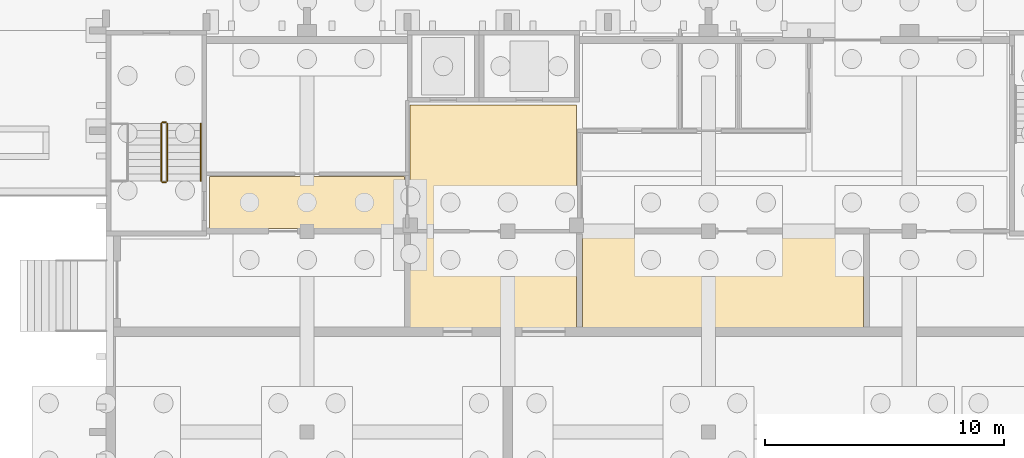
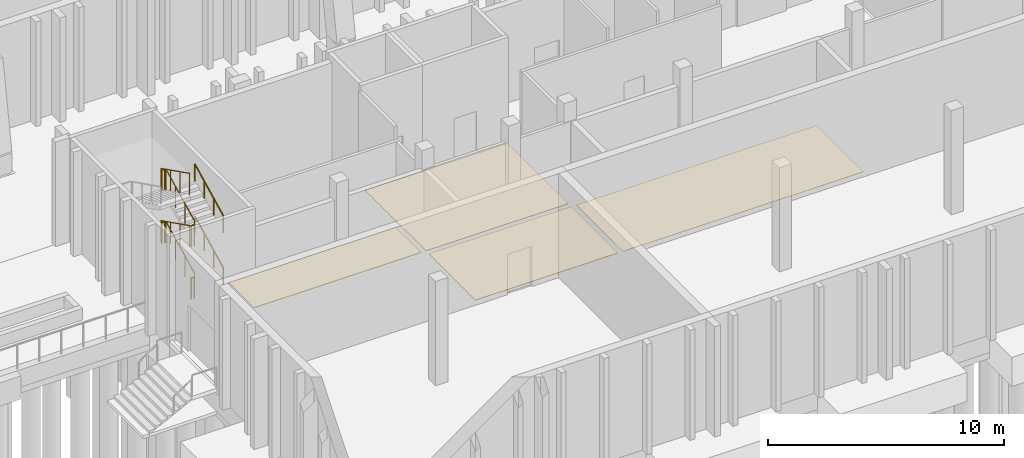
# One storey, part 123 of 129: 10 railings, 4 coverings.
"""IFC4 building model written with IfcOpenShell, lengths in metres."""

from ifc_helpers import new_model, si_unit, direction, frame, origin, origin_2d, place, context, subcontext, project, spatial, polyline, circle, outline, extrude, material, layer, layer_set, type_object, element, save


model = new_model("IFC4")

# Units and contexts
model_context = context("Model", 3, precision=1e-05, world=origin(), true_north=direction((0.0, 1.0)))
body_context = subcontext(model_context, "Body", "Model", "MODEL_VIEW")
ifc_project = project(units=[si_unit("LENGTHUNIT", "METRE"), si_unit("AREAUNIT", "SQUARE_METRE"), si_unit("VOLUMEUNIT", "CUBIC_METRE"), si_unit("PLANEANGLEUNIT", "RADIAN"), si_unit("MASSUNIT", "GRAM", prefix="KILO")], contexts=[model_context])

# Site, building, storey
site_placement = place(None, origin())
site = spatial("IfcSite", under=ifc_project, at=site_placement, CompositionType="ELEMENT")
building_placement = place(site_placement, origin())
building = spatial("IfcBuilding", under=site, at=building_placement, Name="Kiln Court Media Centre", CompositionType="ELEMENT")
storey_placement = place(building_placement, origin())
storey = spatial("IfcBuildingStorey", under=building, at=storey_placement, Name="L00", CompositionType="ELEMENT", Elevation=0.0)

# Coverings
ifc_material_1 = material(Name="Carpet tile")
ifc_layer_1 = layer(ifc_material_1, 0.014892578125)
ifc_layer_set_1 = layer_set([ifc_layer_1], Name="Carpet tile floor finish 15")
covering_type_1 = type_object("IfcCoveringType", Name="Carpet tile floor finish 15", PredefinedType="FLOORING", material=ifc_layer_set_1)
covering_1_placement = place(storey_placement, origin())
element("IfcCovering", 1, at=covering_1_placement, inside=storey, type_object=covering_type_1, Name="Control Room 2 floor finish", PredefinedType="FLOORING", context=body_context, shape_type="SweptSolid", body=[
    extrude(outline(polyline([(145.919921875, 12.719970703125), (157.679931640625, 12.719970703125), (157.679931640625, 16.679931640625), (145.919921875, 16.679931640625), (145.919921875, 12.719970703125)])), origin(), (0.0, 0.0, 1.0), 0.014892578125),
])
ifc_material_2 = material(Name="Terrazzo")
ifc_layer_2 = layer(ifc_material_2, 0.02490234375)
ifc_layer_set_2 = layer_set([ifc_layer_2], Name="Polished terrazzo floor finish 25")
covering_type_2 = type_object("IfcCoveringType", Name="Polished terrazzo floor finish 25", PredefinedType="FLOORING", material=ifc_layer_set_2)
covering_2_placement = place(storey_placement, origin())
element("IfcCovering", 2, at=covering_2_placement, inside=storey, type_object=covering_type_2, Name="Sound Lock Corridor floor finish", PredefinedType="FLOORING", context=body_context, shape_type="SweptSolid", body=[
    extrude(outline(polyline([(138.719970703125, 12.719970703125), (145.679931640625, 12.719970703125), (145.679931640625, 16.679931640625), (138.719970703125, 16.679931640625), (138.719970703125, 12.719970703125)])), origin(), (0.0, 0.0, 1.0), 0.02490234375),
])
covering_3_placement = place(storey_placement, origin())
element("IfcCovering", 3, at=covering_3_placement, inside=storey, type_object=covering_type_2, Name="Studio Corridor floor finish", PredefinedType="FLOORING", context=body_context, shape_type="SweptSolid", body=[
    extrude(outline(polyline([(130.320068359375, 16.919921875), (138.47998046875, 16.919921875), (138.47998046875, 19.080078125), (130.320068359375, 19.080078125), (130.320068359375, 16.919921875)])), origin(), (0.0, 0.0, 1.0), 0.02490234375),
])
covering_4_placement = place(storey_placement, origin())
element("IfcCovering", 4, at=covering_4_placement, inside=storey, type_object=covering_type_2, Name="Fire-fighting Lift Lobby floor finish", PredefinedType="FLOORING", context=body_context, shape_type="SweptSolid", body=[
    extrude(outline(polyline([(138.719970703125, 16.919921875), (145.679931640625, 16.919921875), (145.679931640625, 22.080078125), (138.719970703125, 22.080078125), (138.719970703125, 16.919921875)])), origin(), (0.0, 0.0, 1.0), 0.02490234375),
])

# Railings
ifc_material_3 = material(Name="Steel S275", Category="steel")
railing_type_1 = type_object("IfcRailingType", Name="Steel S275 stair guard 1100", PredefinedType="GUARDRAIL", material=ifc_material_3)
railing_1_placement = place(storey_placement, frame((128.550048828125, 18.89990234375, 0.14990234375)))
element("IfcRailing", 5, at=railing_1_placement, inside=storey, type_object=railing_type_1, Name="ST-16 stair guard", PredefinedType="GUARDRAIL", context=body_context, shape_type="SweptSolid", body=[
    extrude(circle(Radius=0.02392578125, at=origin_2d()), frame((0.0, 0.0, 1.076171875), z_axis=(0.0, 0.894408994573, 0.447249986504), x_axis=(-1.0, 0.0, 0.0)), (0.0, 0.0, 1.0), 2.68359375),
    extrude(circle(Radius=0.02099609375, at=origin_2d()), origin(), (0.0, 0.0, 1.0), 1.052001953125),
    extrude(circle(Radius=0.02099609375, at=origin_2d()), frame((0.0, 0.800048828125, 0.400146484375)), (0.0, 0.0, 1.0), 1.052001953125),
    extrude(circle(Radius=0.02099609375, at=origin_2d()), frame((0.0, 1.60009765625, 0.800048828125)), (0.0, 0.0, 1.0), 1.052001953125),
    extrude(circle(Radius=0.02099609375, at=origin_2d()), frame((0.0, 2.400146484375, 1.2001953125)), (0.0, 0.0, 1.0), 1.052001953125),
])
railing_2_placement = place(storey_placement, frame((128.5, 21.35009765625, 1.35009765625)))
element("IfcRailing", 6, at=railing_2_placement, inside=storey, type_object=railing_type_1, Name="ST-16 stair guard", PredefinedType="GUARDRAIL", context=body_context, shape_type="SweptSolid", body=[
    extrude(circle(Radius=0.02392578125, at=origin_2d()), frame((0.0, 0.0, 1.076171875), z_axis=(-1.0, 0.0, 0.0), x_axis=(0.0, -1.0, 0.0)), (0.0, 0.0, 1.0), 0.14990234375),
    extrude(circle(Radius=0.02099609375, at=origin_2d()), origin(), (0.0, 0.0, 1.0), 1.052001953125),
    extrude(circle(Radius=0.02099609375, at=origin_2d()), frame((-0.14990234375, 0.0, 0.0)), (0.0, 0.0, 1.0), 1.052001953125),
])
railing_3_placement = place(storey_placement, frame((128.300048828125, 21.300048828125, 1.5)))
element("IfcRailing", 7, at=railing_3_placement, inside=storey, type_object=railing_type_1, Name="ST-16 stair guard", PredefinedType="GUARDRAIL", context=body_context, shape_type="SweptSolid", body=[
    extrude(circle(Radius=0.02392578125, at=origin_2d()), frame((0.0, 0.0, 1.076171875), z_axis=(0.0, -0.894445386687, 0.447177202275), x_axis=(1.0, 0.0, 0.0)), (0.0, 0.0, 1.0), 2.683349609375),
    extrude(circle(Radius=0.02099609375, at=origin_2d()), origin(), (0.0, 0.0, 1.0), 1.052001953125),
    extrude(circle(Radius=0.02099609375, at=origin_2d()), frame((0.0, -0.800048828125, 0.39990234375)), (0.0, 0.0, 1.0), 1.052001953125),
    extrude(circle(Radius=0.02099609375, at=origin_2d()), frame((0.0, -1.60009765625, 0.800048828125)), (0.0, 0.0, 1.0), 1.052001953125),
    extrude(circle(Radius=0.02099609375, at=origin_2d()), frame((0.0, -2.400146484375, 1.199951171875)), (0.0, 0.0, 1.0), 1.052001953125),
])
railing_4_placement = place(storey_placement, frame((128.5, 18.85009765625, 2.699951171875)))
element("IfcRailing", 8, at=railing_4_placement, inside=storey, type_object=railing_type_1, Name="ST-16 stair guard", PredefinedType="GUARDRAIL", context=body_context, shape_type="SweptSolid", body=[
    extrude(circle(Radius=0.02392578125, at=origin_2d()), frame((0.0, 0.0, 1.076171875), z_axis=(-1.0, 0.0, 0.0), x_axis=(0.0, -1.0, 0.0)), (0.0, 0.0, 1.0), 0.14990234375),
    extrude(circle(Radius=0.02099609375, at=origin_2d()), origin(), (0.0, 0.0, 1.0), 1.052001953125),
    extrude(circle(Radius=0.02099609375, at=origin_2d()), frame((-0.14990234375, 0.0, 0.0)), (0.0, 0.0, 1.0), 1.052001953125),
])
railing_5_placement = place(storey_placement, frame((128.550048828125, 18.89990234375, 2.85009765625)))
element("IfcRailing", 9, at=railing_5_placement, inside=storey, type_object=railing_type_1, Name="ST-16 stair guard", PredefinedType="GUARDRAIL", context=body_context, shape_type="SweptSolid", body=[
    extrude(circle(Radius=0.02392578125, at=origin_2d()), frame((0.0, 0.0, 1.076171875), z_axis=(0.0, 0.894445386687, 0.447177202275), x_axis=(-1.0, 0.0, 0.0)), (0.0, 0.0, 1.0), 2.683349609375),
    extrude(circle(Radius=0.02099609375, at=origin_2d()), origin(), (0.0, 0.0, 1.0), 1.052001953125),
    extrude(circle(Radius=0.02099609375, at=origin_2d()), frame((0.0, 0.800048828125, 0.39990234375)), (0.0, 0.0, 1.0), 1.052001953125),
    extrude(circle(Radius=0.02099609375, at=origin_2d()), frame((0.0, 1.60009765625, 0.800048828125)), (0.0, 0.0, 1.0), 1.052001953125),
    extrude(circle(Radius=0.02099609375, at=origin_2d()), frame((0.0, 2.400146484375, 1.199951171875)), (0.0, 0.0, 1.0), 1.052001953125),
])
railing_6_placement = place(storey_placement, frame((128.5, 21.35009765625, 4.050048828125)))
element("IfcRailing", 10, at=railing_6_placement, inside=storey, type_object=railing_type_1, Name="ST-16 stair guard", PredefinedType="GUARDRAIL", context=body_context, shape_type="SweptSolid", body=[
    extrude(circle(Radius=0.02392578125, at=origin_2d()), frame((0.0, 0.0, 1.076171875), z_axis=(-1.0, 0.0, 0.0), x_axis=(0.0, -1.0, 0.0)), (0.0, 0.0, 1.0), 0.14990234375),
    extrude(circle(Radius=0.02099609375, at=origin_2d()), origin(), (0.0, 0.0, 1.0), 1.052001953125),
    extrude(circle(Radius=0.02099609375, at=origin_2d()), frame((-0.14990234375, 0.0, 0.0)), (0.0, 0.0, 1.0), 1.052001953125),
])
railing_7_placement = place(storey_placement, frame((128.300048828125, 21.300048828125, 4.199951171875)))
element("IfcRailing", 11, at=railing_7_placement, inside=storey, type_object=railing_type_1, Name="ST-16 stair guard", PredefinedType="GUARDRAIL", context=body_context, shape_type="SweptSolid", body=[
    extrude(circle(Radius=0.02392578125, at=origin_2d()), frame((0.0, 0.0, 1.076171875), z_axis=(0.0, -0.894445386687, 0.447177202275), x_axis=(1.0, 0.0, 0.0)), (0.0, 0.0, 1.0), 2.683349609375),
    extrude(circle(Radius=0.02099609375, at=origin_2d()), origin(), (0.0, 0.0, 1.0), 1.052001953125),
    extrude(circle(Radius=0.02099609375, at=origin_2d()), frame((0.0, -0.800048828125, 0.39990234375)), (0.0, 0.0, 1.0), 1.052001953125),
    extrude(circle(Radius=0.02099609375, at=origin_2d()), frame((0.0, -1.60009765625, 0.800048828125)), (0.0, 0.0, 1.0), 1.052001953125),
    extrude(circle(Radius=0.02099609375, at=origin_2d()), frame((0.0, -2.400146484375, 1.199951171875)), (0.0, 0.0, 1.0), 1.052001953125),
])
railing_8_placement = place(storey_placement, frame((128.5, 18.85009765625, 0.0)))
element("IfcRailing", 12, at=railing_8_placement, inside=storey, type_object=railing_type_1, Name="ST-16 stair guard", PredefinedType="GUARDRAIL", context=body_context, shape_type="SweptSolid", body=[
    extrude(circle(Radius=0.02392578125, at=origin_2d()), frame((0.0, 0.0, 1.076171875), z_axis=(-1.0, 0.0, 0.0), x_axis=(0.0, -1.0, 0.0)), (0.0, 0.0, 1.0), 0.14990234375),
    extrude(circle(Radius=0.02099609375, at=origin_2d()), origin(), (0.0, 0.0, 1.0), 1.052001953125),
    extrude(circle(Radius=0.02099609375, at=origin_2d()), frame((-0.14990234375, 0.0, 0.0)), (0.0, 0.0, 1.0), 1.052001953125),
])
ifc_material_4 = material(Name="Steel S275", Category="steel")
railing_type_2 = type_object("IfcRailingType", Name="Steel S275 stair handrail 900", PredefinedType="HANDRAIL", material=ifc_material_4)
railing_9_placement = place(storey_placement, frame((129.949951171875, 18.89990234375, 0.14990234375)))
element("IfcRailing", 13, at=railing_9_placement, inside=storey, type_object=railing_type_2, Name="ST-16 stair handrail", PredefinedType="HANDRAIL", context=body_context, shape_type="SweptSolid", body=[
    extrude(circle(Radius=0.02392578125, at=origin_2d()), frame((0.0, 0.0, 0.8759765625), z_axis=(0.0, 0.894408994573, 0.447249986504), x_axis=(-1.0, 0.0, 0.0)), (0.0, 0.0, 1.0), 2.68359375),
    extrude(circle(Radius=0.02099609375, at=origin_2d()), origin(), (0.0, 0.0, 1.0), 0.851806640625),
    extrude(circle(Radius=0.02099609375, at=origin_2d()), frame((0.0, 0.800048828125, 0.400146484375)), (0.0, 0.0, 1.0), 0.851806640625),
    extrude(circle(Radius=0.02099609375, at=origin_2d()), frame((0.0, 1.60009765625, 0.800048828125)), (0.0, 0.0, 1.0), 0.851806640625),
    extrude(circle(Radius=0.02099609375, at=origin_2d()), frame((0.0, 2.400146484375, 1.2001953125)), (0.0, 0.0, 1.0), 0.851806640625),
])
railing_10_placement = place(storey_placement, frame((129.949951171875, 18.89990234375, 2.85009765625)))
element("IfcRailing", 14, at=railing_10_placement, inside=storey, type_object=railing_type_2, Name="ST-16 stair handrail", PredefinedType="HANDRAIL", context=body_context, shape_type="SweptSolid", body=[
    extrude(circle(Radius=0.02392578125, at=origin_2d()), frame((0.0, 0.0, 0.8759765625), z_axis=(0.0, 0.894445386687, 0.447177202275), x_axis=(-1.0, 0.0, 0.0)), (0.0, 0.0, 1.0), 2.683349609375),
    extrude(circle(Radius=0.02099609375, at=origin_2d()), origin(), (0.0, 0.0, 1.0), 0.851806640625),
    extrude(circle(Radius=0.02099609375, at=origin_2d()), frame((0.0, 0.800048828125, 0.39990234375)), (0.0, 0.0, 1.0), 0.851806640625),
    extrude(circle(Radius=0.02099609375, at=origin_2d()), frame((0.0, 1.60009765625, 0.800048828125)), (0.0, 0.0, 1.0), 0.851806640625),
    extrude(circle(Radius=0.02099609375, at=origin_2d()), frame((0.0, 2.400146484375, 1.199951171875)), (0.0, 0.0, 1.0), 0.851806640625),
])

save(model, "model.ifc")
